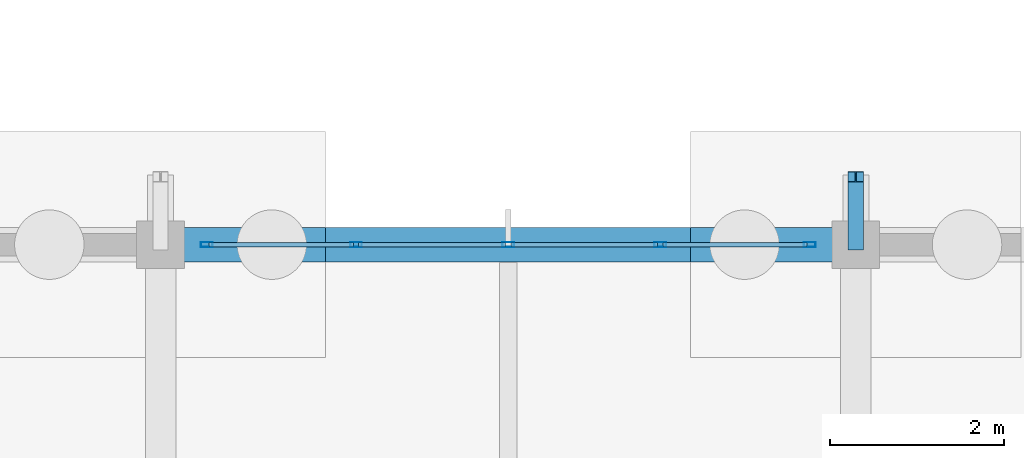
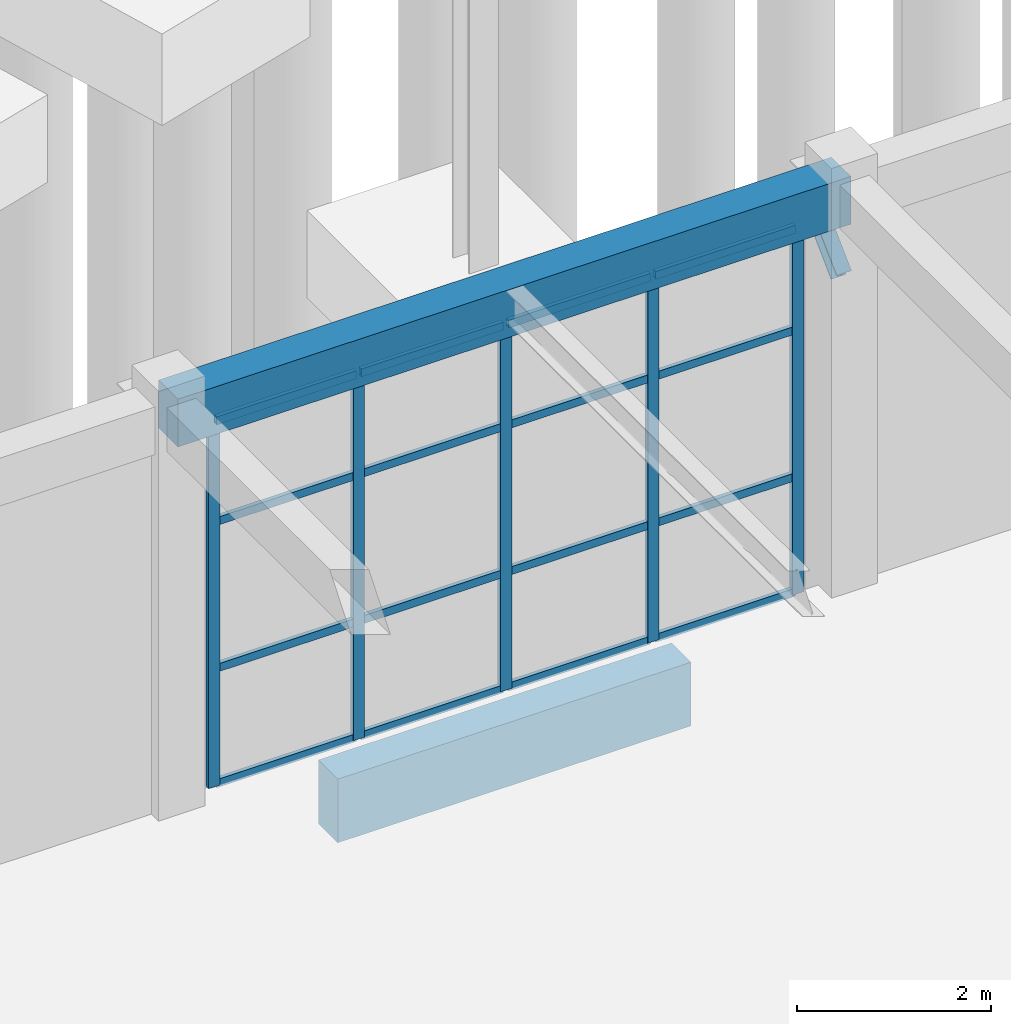
# One storey, part 21 of 90: 22 members, 2 beams, 1 element without a shape of its own.
"""IFC4 building model written with IfcOpenShell, lengths in metres."""

from ifc_helpers import new_model, si_unit, direction, frame, origin, origin_2d, place, context, subcontext, project, spatial, rectangle, hollow_rectangle, i_section, extrude, material, layer, layer_set, material_profile, profile_set, type_object, element, aggregate, save


model = new_model("IFC4")

# Units and contexts
model_context = context("Model", 3, precision=1e-05, world=origin(), true_north=direction((0.0, 1.0)))
body_context = subcontext(model_context, "Body", "Model", "MODEL_VIEW")
ifc_project = project(units=[si_unit("LENGTHUNIT", "METRE"), si_unit("AREAUNIT", "SQUARE_METRE"), si_unit("VOLUMEUNIT", "CUBIC_METRE"), si_unit("PLANEANGLEUNIT", "RADIAN"), si_unit("MASSUNIT", "GRAM", prefix="KILO")], contexts=[model_context])

# Site, building, storey
site_placement = place(None, origin())
site = spatial("IfcSite", under=ifc_project, at=site_placement, CompositionType="ELEMENT")
building_placement = place(site_placement, origin())
building = spatial("IfcBuilding", under=site, at=building_placement, Name="Canggui Botanical Conservatory", CompositionType="ELEMENT")
storey_placement = place(building_placement, origin())
storey = spatial("IfcBuildingStorey", under=building, at=storey_placement, Name="L01", CompositionType="ELEMENT", Elevation=0.0)

# Beams
ifc_material_1 = material(Name="Concrete C35", Category="concrete")
ifc_material_profile_1 = material_profile(ifc_material_1, rectangle(XDim=0.39990234375, YDim=0.800048828125, at=origin_2d()), Name="RB 400x800")
ifc_profile_set_1 = profile_set([ifc_material_profile_1], Name="Concrete C35")
beam_type_1 = type_object("IfcBeamType", Name="BM-JCL01", PredefinedType="USERDEFINED", material=ifc_profile_set_1)
beam_1_placement = place(storey_placement, frame((35.89990234375, 34.0, -0.679931640625), z_axis=(1.0, 0.0, 0.0), x_axis=(0.0, 1.0, 0.0)))
element("IfcBeam", 1, at=beam_1_placement, inside=storey, type_object=beam_type_1, Name="Foundation Grade Tie Beam JCL-023", ObjectType="GRADE BEAM", PredefinedType="USERDEFINED", context=body_context, shape_type="SweptSolid", body=[
    extrude(rectangle(XDim=0.39990234375, YDim=0.800048828125, at=origin_2d()), origin(), (0.0, 0.0, 1.0), 4.2001953125),
])
ifc_material_profile_2 = material_profile(ifc_material_1, rectangle(XDim=0.39990234375, YDim=0.60009765625, at=origin_2d()), Name="RB 400x600")
ifc_profile_set_2 = profile_set([ifc_material_profile_2], Name="Concrete C35")
beam_type_2 = type_object("IfcBeamType", Name="BM-KL13", PredefinedType="BEAM", material=ifc_profile_set_2)
beam_2_placement = place(storey_placement, frame((34.0, 34.0, 4.860107421875), z_axis=(1.0, 0.0, 0.0), x_axis=(0.0, 1.0, 0.0)))
element("IfcBeam", 2, at=beam_2_placement, inside=storey, type_object=beam_type_2, Name="Visitor Girder L01 Y34-3", PredefinedType="BEAM", context=body_context, shape_type="SweptSolid", body=[
    extrude(rectangle(XDim=0.39990234375, YDim=0.60009765625, at=origin_2d()), origin(), (0.0, 0.0, 1.0), 8.0),
])

# Curtain wall, members
ifc_material_2 = material(Name="Thermally Broken Aluminium", Category="aluminium")
ifc_layer = layer(ifc_material_2, 0.135009765625, Name="Thermally Broken Aluminium", Category="aluminium")
ifc_layer_set = layer_set([ifc_layer], Name="Thermally Broken Aluminium")
curtain_wall_type = type_object("IfcCurtainWallType", Name="CW-STICK-A", PredefinedType="USERDEFINED", material=ifc_layer_set)
curtain_wall_placement = place(storey_placement, origin())
curtain_wall = element("IfcCurtainWall", 3, at=curtain_wall_placement, inside=storey, type_object=curtain_wall_type, Name="Facade Curtain Wall CW-VIS-L01-14", ObjectType="STICK GLAZED WALL", PredefinedType="USERDEFINED")
ifc_material_profile_3 = material_profile(ifc_material_2, hollow_rectangle(XDim=0.06005859375, YDim=0.135009765625, WallThickness=0.00341796875, at=origin_2d()), Name="CWM 60x135x3.5")
ifc_profile_set_3 = profile_set([ifc_material_profile_3], Name="Thermally Broken Aluminium")
member_type_1 = type_object("IfcMemberType", Name="CWM-04", PredefinedType="MULLION", material=ifc_profile_set_3)
member_1_placement = place(storey_placement, frame((34.530029296875, 34.0, 0.0), z_axis=(0.0, 0.0, 1.0), x_axis=(0.0, 1.0, 0.0)))
member_1 = element("IfcMember", 4, at=member_1_placement, type_object=member_type_1, Name="CW-04 mullion 1", PredefinedType="MULLION", context=body_context, shape_type="SweptSolid", body=[
    extrude(hollow_rectangle(XDim=0.06005859375, YDim=0.135009765625, WallThickness=0.00341796875, at=origin_2d()), origin(), (0.0, 0.0, 1.0), 4.610107421875),
])
member_2_placement = place(storey_placement, frame((36.25, 34.0, 0.0), z_axis=(0.0, 0.0, 1.0), x_axis=(0.0, 1.0, 0.0)))
member_2 = element("IfcMember", 5, at=member_2_placement, type_object=member_type_1, Name="CW-04 mullion 2", PredefinedType="MULLION", context=body_context, shape_type="SweptSolid", body=[
    extrude(hollow_rectangle(XDim=0.06005859375, YDim=0.135009765625, WallThickness=0.00341796875, at=origin_2d()), origin(), (0.0, 0.0, 1.0), 4.610107421875),
])
member_3_placement = place(storey_placement, frame((38.0, 34.0, 0.0), z_axis=(0.0, 0.0, 1.0), x_axis=(0.0, 1.0, 0.0)))
member_3 = element("IfcMember", 6, at=member_3_placement, type_object=member_type_1, Name="CW-04 mullion 3", PredefinedType="MULLION", context=body_context, shape_type="SweptSolid", body=[
    extrude(hollow_rectangle(XDim=0.06005859375, YDim=0.135009765625, WallThickness=0.00341796875, at=origin_2d()), origin(), (0.0, 0.0, 1.0), 4.610107421875),
])
member_4_placement = place(storey_placement, frame((39.75, 34.0, 0.0), z_axis=(0.0, 0.0, 1.0), x_axis=(0.0, 1.0, 0.0)))
member_4 = element("IfcMember", 7, at=member_4_placement, type_object=member_type_1, Name="CW-04 mullion 4", PredefinedType="MULLION", context=body_context, shape_type="SweptSolid", body=[
    extrude(hollow_rectangle(XDim=0.06005859375, YDim=0.135009765625, WallThickness=0.00341796875, at=origin_2d()), origin(), (0.0, 0.0, 1.0), 4.610107421875),
])
member_5_placement = place(storey_placement, frame((41.469970703125, 34.0, 0.0), z_axis=(0.0, 0.0, 1.0), x_axis=(0.0, 1.0, 0.0)))
member_5 = element("IfcMember", 8, at=member_5_placement, type_object=member_type_1, Name="CW-04 mullion 5", PredefinedType="MULLION", context=body_context, shape_type="SweptSolid", body=[
    extrude(hollow_rectangle(XDim=0.06005859375, YDim=0.135009765625, WallThickness=0.00341796875, at=origin_2d()), origin(), (0.0, 0.0, 1.0), 4.610107421875),
])
ifc_material_profile_4 = material_profile(ifc_material_2, hollow_rectangle(XDim=0.050048828125, YDim=0.10009765625, WallThickness=0.0029296875, at=origin_2d()), Name="CWT 50x100x3")
ifc_profile_set_4 = profile_set([ifc_material_profile_4], Name="Thermally Broken Aluminium")
member_type_2 = type_object("IfcMemberType", Name="CWT-04", PredefinedType="USERDEFINED", material=ifc_profile_set_4)
member_6_placement = place(storey_placement, frame((34.56005859375, 34.0, 0.02490234375), z_axis=(1.0, 0.0, 0.0), x_axis=(0.0, 1.0, 0.0)))
member_6 = element("IfcMember", 9, at=member_6_placement, type_object=member_type_2, Name="CW-04 transom 1.1", ObjectType="TRANSOM", PredefinedType="USERDEFINED", context=body_context, shape_type="SweptSolid", body=[
    extrude(hollow_rectangle(XDim=0.050048828125, YDim=0.10009765625, WallThickness=0.0029296875, at=origin_2d()), origin(), (0.0, 0.0, 1.0), 1.659912109375),
])
member_7_placement = place(storey_placement, frame((34.56005859375, 34.0, 1.47509765625), z_axis=(1.0, 0.0, 0.0), x_axis=(0.0, 1.0, 0.0)))
member_7 = element("IfcMember", 10, at=member_7_placement, type_object=member_type_2, Name="CW-04 transom 1.2", ObjectType="TRANSOM", PredefinedType="USERDEFINED", context=body_context, shape_type="SweptSolid", body=[
    extrude(hollow_rectangle(XDim=0.050048828125, YDim=0.10009765625, WallThickness=0.0029296875, at=origin_2d()), origin(), (0.0, 0.0, 1.0), 1.659912109375),
])
member_8_placement = place(storey_placement, frame((34.56005859375, 34.0, 3.319091796875), z_axis=(1.0, 0.0, 0.0), x_axis=(0.0, 1.0, 0.0)))
member_8 = element("IfcMember", 11, at=member_8_placement, type_object=member_type_2, Name="CW-04 transom 1.3", ObjectType="TRANSOM", PredefinedType="USERDEFINED", context=body_context, shape_type="SweptSolid", body=[
    extrude(hollow_rectangle(XDim=0.050048828125, YDim=0.10009765625, WallThickness=0.0029296875, at=origin_2d()), origin(), (0.0, 0.0, 1.0), 1.659912109375),
])
member_9_placement = place(storey_placement, frame((34.56005859375, 34.0, 4.5849609375), z_axis=(1.0, 0.0, 0.0), x_axis=(0.0, 1.0, 0.0)))
member_9 = element("IfcMember", 12, at=member_9_placement, type_object=member_type_2, Name="CW-04 transom 1.4", ObjectType="TRANSOM", PredefinedType="USERDEFINED", context=body_context, shape_type="SweptSolid", body=[
    extrude(hollow_rectangle(XDim=0.050048828125, YDim=0.10009765625, WallThickness=0.0029296875, at=origin_2d()), origin(), (0.0, 0.0, 1.0), 1.659912109375),
])
member_10_placement = place(storey_placement, frame((36.280029296875, 34.0, 0.02490234375), z_axis=(1.0, 0.0, 0.0), x_axis=(0.0, 1.0, 0.0)))
member_10 = element("IfcMember", 13, at=member_10_placement, type_object=member_type_2, Name="CW-04 transom 2.1", ObjectType="TRANSOM", PredefinedType="USERDEFINED", context=body_context, shape_type="SweptSolid", body=[
    extrude(hollow_rectangle(XDim=0.050048828125, YDim=0.10009765625, WallThickness=0.0029296875, at=origin_2d()), origin(), (0.0, 0.0, 1.0), 1.68994140625),
])
member_11_placement = place(storey_placement, frame((36.280029296875, 34.0, 1.47509765625), z_axis=(1.0, 0.0, 0.0), x_axis=(0.0, 1.0, 0.0)))
member_11 = element("IfcMember", 14, at=member_11_placement, type_object=member_type_2, Name="CW-04 transom 2.2", ObjectType="TRANSOM", PredefinedType="USERDEFINED", context=body_context, shape_type="SweptSolid", body=[
    extrude(hollow_rectangle(XDim=0.050048828125, YDim=0.10009765625, WallThickness=0.0029296875, at=origin_2d()), origin(), (0.0, 0.0, 1.0), 1.68994140625),
])
member_12_placement = place(storey_placement, frame((36.280029296875, 34.0, 3.319091796875), z_axis=(1.0, 0.0, 0.0), x_axis=(0.0, 1.0, 0.0)))
member_12 = element("IfcMember", 15, at=member_12_placement, type_object=member_type_2, Name="CW-04 transom 2.3", ObjectType="TRANSOM", PredefinedType="USERDEFINED", context=body_context, shape_type="SweptSolid", body=[
    extrude(hollow_rectangle(XDim=0.050048828125, YDim=0.10009765625, WallThickness=0.0029296875, at=origin_2d()), origin(), (0.0, 0.0, 1.0), 1.68994140625),
])
member_13_placement = place(storey_placement, frame((36.280029296875, 34.0, 4.5849609375), z_axis=(1.0, 0.0, 0.0), x_axis=(0.0, 1.0, 0.0)))
member_13 = element("IfcMember", 16, at=member_13_placement, type_object=member_type_2, Name="CW-04 transom 2.4", ObjectType="TRANSOM", PredefinedType="USERDEFINED", context=body_context, shape_type="SweptSolid", body=[
    extrude(hollow_rectangle(XDim=0.050048828125, YDim=0.10009765625, WallThickness=0.0029296875, at=origin_2d()), origin(), (0.0, 0.0, 1.0), 1.68994140625),
])
member_14_placement = place(storey_placement, frame((38.030029296875, 34.0, 0.02490234375), z_axis=(1.0, 0.0, 0.0), x_axis=(0.0, 1.0, 0.0)))
member_14 = element("IfcMember", 17, at=member_14_placement, type_object=member_type_2, Name="CW-04 transom 3.1", ObjectType="TRANSOM", PredefinedType="USERDEFINED", context=body_context, shape_type="SweptSolid", body=[
    extrude(hollow_rectangle(XDim=0.050048828125, YDim=0.10009765625, WallThickness=0.0029296875, at=origin_2d()), origin(), (0.0, 0.0, 1.0), 1.68994140625),
])
member_15_placement = place(storey_placement, frame((38.030029296875, 34.0, 1.47509765625), z_axis=(1.0, 0.0, 0.0), x_axis=(0.0, 1.0, 0.0)))
member_15 = element("IfcMember", 18, at=member_15_placement, type_object=member_type_2, Name="CW-04 transom 3.2", ObjectType="TRANSOM", PredefinedType="USERDEFINED", context=body_context, shape_type="SweptSolid", body=[
    extrude(hollow_rectangle(XDim=0.050048828125, YDim=0.10009765625, WallThickness=0.0029296875, at=origin_2d()), origin(), (0.0, 0.0, 1.0), 1.68994140625),
])
member_16_placement = place(storey_placement, frame((38.030029296875, 34.0, 3.319091796875), z_axis=(1.0, 0.0, 0.0), x_axis=(0.0, 1.0, 0.0)))
member_16 = element("IfcMember", 19, at=member_16_placement, type_object=member_type_2, Name="CW-04 transom 3.3", ObjectType="TRANSOM", PredefinedType="USERDEFINED", context=body_context, shape_type="SweptSolid", body=[
    extrude(hollow_rectangle(XDim=0.050048828125, YDim=0.10009765625, WallThickness=0.0029296875, at=origin_2d()), origin(), (0.0, 0.0, 1.0), 1.68994140625),
])
member_17_placement = place(storey_placement, frame((38.030029296875, 34.0, 4.5849609375), z_axis=(1.0, 0.0, 0.0), x_axis=(0.0, 1.0, 0.0)))
member_17 = element("IfcMember", 20, at=member_17_placement, type_object=member_type_2, Name="CW-04 transom 3.4", ObjectType="TRANSOM", PredefinedType="USERDEFINED", context=body_context, shape_type="SweptSolid", body=[
    extrude(hollow_rectangle(XDim=0.050048828125, YDim=0.10009765625, WallThickness=0.0029296875, at=origin_2d()), origin(), (0.0, 0.0, 1.0), 1.68994140625),
])
member_18_placement = place(storey_placement, frame((39.780029296875, 34.0, 0.02490234375), z_axis=(1.0, 0.0, 0.0), x_axis=(0.0, 1.0, 0.0)))
member_18 = element("IfcMember", 21, at=member_18_placement, type_object=member_type_2, Name="CW-04 transom 4.1", ObjectType="TRANSOM", PredefinedType="USERDEFINED", context=body_context, shape_type="SweptSolid", body=[
    extrude(hollow_rectangle(XDim=0.050048828125, YDim=0.10009765625, WallThickness=0.0029296875, at=origin_2d()), origin(), (0.0, 0.0, 1.0), 1.659912109375),
])
member_19_placement = place(storey_placement, frame((39.780029296875, 34.0, 1.47509765625), z_axis=(1.0, 0.0, 0.0), x_axis=(0.0, 1.0, 0.0)))
member_19 = element("IfcMember", 22, at=member_19_placement, type_object=member_type_2, Name="CW-04 transom 4.2", ObjectType="TRANSOM", PredefinedType="USERDEFINED", context=body_context, shape_type="SweptSolid", body=[
    extrude(hollow_rectangle(XDim=0.050048828125, YDim=0.10009765625, WallThickness=0.0029296875, at=origin_2d()), origin(), (0.0, 0.0, 1.0), 1.659912109375),
])
member_20_placement = place(storey_placement, frame((39.780029296875, 34.0, 3.319091796875), z_axis=(1.0, 0.0, 0.0), x_axis=(0.0, 1.0, 0.0)))
member_20 = element("IfcMember", 23, at=member_20_placement, type_object=member_type_2, Name="CW-04 transom 4.3", ObjectType="TRANSOM", PredefinedType="USERDEFINED", context=body_context, shape_type="SweptSolid", body=[
    extrude(hollow_rectangle(XDim=0.050048828125, YDim=0.10009765625, WallThickness=0.0029296875, at=origin_2d()), origin(), (0.0, 0.0, 1.0), 1.659912109375),
])
member_21_placement = place(storey_placement, frame((39.780029296875, 34.0, 4.5849609375), z_axis=(1.0, 0.0, 0.0), x_axis=(0.0, 1.0, 0.0)))
member_21 = element("IfcMember", 24, at=member_21_placement, type_object=member_type_2, Name="CW-04 transom 4.4", ObjectType="TRANSOM", PredefinedType="USERDEFINED", context=body_context, shape_type="SweptSolid", body=[
    extrude(hollow_rectangle(XDim=0.050048828125, YDim=0.10009765625, WallThickness=0.0029296875, at=origin_2d()), origin(), (0.0, 0.0, 1.0), 1.659912109375),
])
aggregate(curtain_wall, [member_1, member_2, member_3, member_4, member_5, member_6, member_7, member_8, member_9, member_10, member_11, member_12, member_13, member_14, member_15, member_16, member_17, member_18, member_19, member_20, member_21])

# Member
ifc_material_3 = material(Name="Steel Q355B", Category="steel")
ifc_material_profile_5 = material_profile(ifc_material_3, i_section(OverallWidth=0.175048828125, OverallDepth=0.175048828125, WebThickness=0.007568359375, FlangeThickness=0.010986328125, FilletRadius=0.011962890625, at=origin_2d()), Name="HW 175x175x7.5x11")
ifc_profile_set_5 = profile_set([ifc_material_profile_5], Name="Steel Q355B")
member_type_3 = type_object("IfcMemberType", Name="MEM-STR02", PredefinedType="STRINGER", material=ifc_profile_set_5)
member_22_placement = place(storey_placement, frame((42.0, 34.0, 3.800048828125), z_axis=(0.0, 0.716238207287, 0.69785588084), x_axis=(-1.0, 0.0, 0.0)))
element("IfcMember", 25, at=member_22_placement, inside=storey, type_object=member_type_3, Name="SB-02 Corbel Diagonal Knee Strut 2", PredefinedType="BRACE", context=body_context, shape_type="SweptSolid", body=[
    extrude(i_section(OverallWidth=0.175048828125, OverallDepth=0.175048828125, WebThickness=0.007568359375, FlangeThickness=0.010986328125, FilletRadius=0.011962890625, at=origin_2d()), origin(), (0.0, 0.0, 1.0), 1.089111328125),
])

save(model, "model.ifc")
